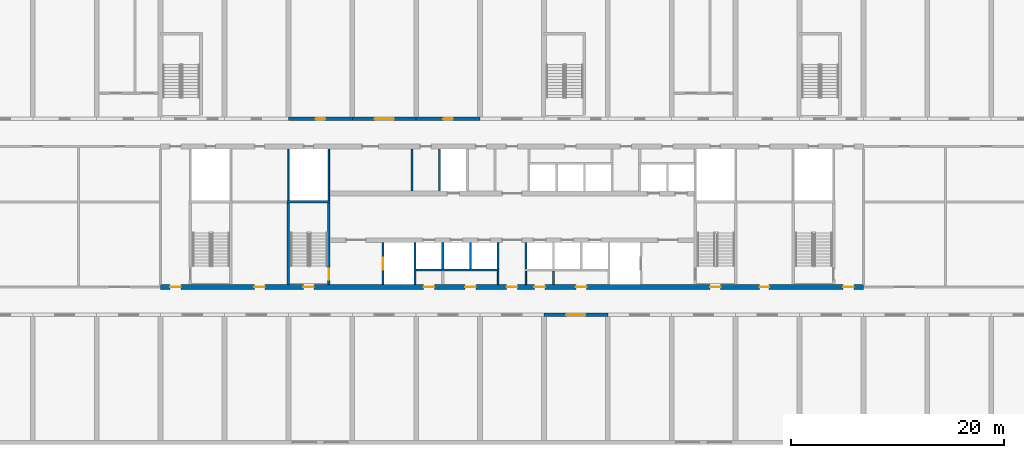
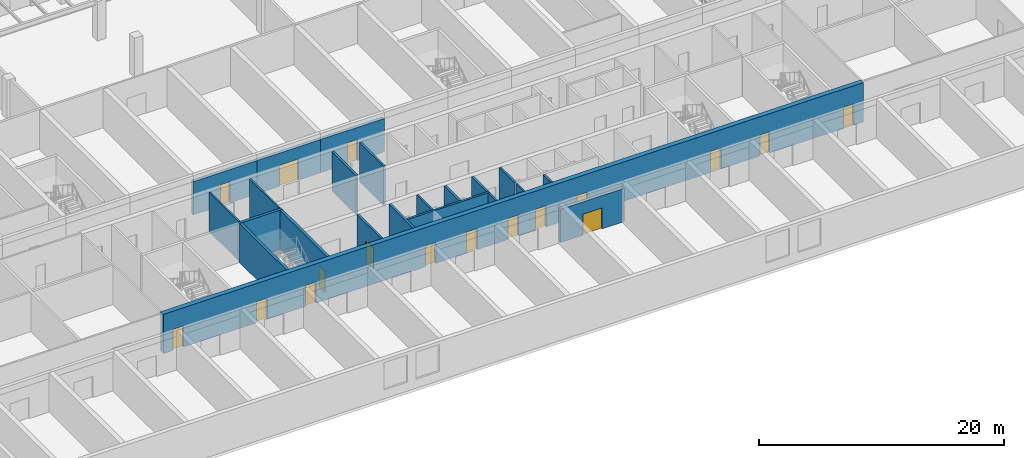
# One storey, part 5 of 15: 22 walls, 17 doors, 17 openings.
"""IFC4 building model written with IfcOpenShell, lengths in metres."""

from ifc_helpers import new_model, si_unit, direction, frame, frame_2d, origin, place, context, subcontext, project, spatial, rectangle, extrude, material, layer, layer_set, type_object, element, fill, save


model = new_model("IFC4")

# Units and contexts
model_context = context("Model", 3, precision=1e-05, world=origin(), true_north=direction((0.0, 1.0)))
body_context = subcontext(model_context, "Body", "Model", "MODEL_VIEW")
ifc_project = project(units=[si_unit("LENGTHUNIT", "METRE"), si_unit("AREAUNIT", "SQUARE_METRE"), si_unit("VOLUMEUNIT", "CUBIC_METRE"), si_unit("PLANEANGLEUNIT", "RADIAN"), si_unit("MASSUNIT", "GRAM", prefix="KILO")], contexts=[model_context])

# Site, building, storey
site_placement = place(None, origin())
site = spatial("IfcSite", under=ifc_project, at=site_placement, CompositionType="ELEMENT")
building_placement = place(site_placement, origin())
building = spatial("IfcBuilding", under=site, at=building_placement, Name="Poui Terraces", CompositionType="ELEMENT")
storey_placement = place(building_placement, frame((0.0, 0.0, 10.800048828125)))
storey = spatial("IfcBuildingStorey", under=building, at=storey_placement, Name="L02", CompositionType="ELEMENT", Elevation=10.800048828125)

# Walls
ifc_material_1 = material(Name="Fire-rated masonry wall", Category="masonry")
ifc_layer_1 = layer(ifc_material_1, 0.199951171875)
ifc_layer_set_1 = layer_set([ifc_layer_1], Name="Fire-rated masonry wall")
wall_type_1 = type_object("IfcWallType", Name="COMPARTMENT WALL 200", PredefinedType="PARTITIONING", material=ifc_layer_set_1)
wall_1_placement = place(storey_placement, frame((54.89990234375, 14.8349609375, 0.0), z_axis=(0.0, 0.0, 1.0), x_axis=(0.0, 1.0, 0.0)))
element("IfcWall", 1, at=wall_1_placement, inside=storey, type_object=wall_type_1, Name="COMPARTMENT WALL 200", PredefinedType="PARTITIONING", context=body_context, shape_type="SweptSolid", body=[
    extrude(rectangle(XDim=1.26513671875, YDim=0.199951171875, at=frame_2d((0.632568359375, 0.0))), origin(), (0.0, 0.0, 1.0), 3.919921875),
])
ifc_material_2 = material(Name="Fire-rated plasterboard wall")
ifc_layer_2 = layer(ifc_material_2, 0.14990234375)
ifc_layer_set_2 = layer_set([ifc_layer_2], Name="Fire-rated plasterboard wall")
wall_type_2 = type_object("IfcWallType", Name="CORRIDOR WALL 150", PredefinedType="PARTITIONING", material=ifc_layer_set_2)
for number, where, z_axis, x_axis, name in (
    (2, (49.699951171875, 14.8349609375, 0.0), (0.0, 0.0, 1.0), (0.0, 1.0, 0.0), "CORRIDOR WALL 150"),
    (3, (52.300048828125, 14.8349609375, 0.0), (0.0, 0.0, 1.0), (0.0, 1.0, 0.0), "CORRIDOR WALL 150"),
):
    element("IfcWall", number, at=place(storey_placement, frame(where, z_axis=z_axis, x_axis=x_axis)), inside=storey, type_object=wall_type_2, Name=name, PredefinedType="PARTITIONING", context=body_context, shape_type="SweptSolid", body=[
        extrude(rectangle(XDim=1.26513671875, YDim=0.14990234375, at=frame_2d((0.632568359375, 0.0))), origin(), (0.0, 0.0, 1.0), 3.919921875),
    ])

# Wall, opening, door
ifc_material_3 = material(Name="Concrete 80 MPa", Category="concrete")
ifc_layer_3 = layer(ifc_material_3, 0.300048828125)
ifc_layer_set_3 = layer_set([ifc_layer_3], Name="Concrete 80 MPa")
wall_type_3 = type_object("IfcWallType", Name="CORRIDOR WALL 300 80MPa", PredefinedType="SHEAR", material=ifc_layer_set_3)
wall_2_placement = place(storey_placement, frame((54.0, 12.0, 0.0), z_axis=(0.0, 0.0, 1.0), x_axis=(1.0, 0.0, 0.0)))
wall_2 = element("IfcWall", 4, at=wall_2_placement, inside=storey, type_object=wall_type_3, Name="CORRIDOR WALL LINE B BAY 10", PredefinedType="SHEAR", context=body_context, shape_type="SweptSolid", body=[
    extrude(rectangle(XDim=6.0, YDim=0.300048828125, at=frame_2d((3.0, 0.0))), origin(), (0.0, 0.0, 1.0), 3.320068359375),
])
opening_1_placement = place(wall_2_placement, frame((2.10009765625, 0.0, 0.0)))
opening_1 = element("IfcOpeningElement", 5, at=opening_1_placement, cuts=wall_2, Name="Opening DD180", PredefinedType="OPENING", context=body_context, shape_type="SweptSolid", body=[
    extrude(rectangle(XDim=1.800048828125, YDim=2.10009765625, at=frame_2d((0.89990234375, 1.050048828125))), frame((0.0, 0.16015625, 0.0), z_axis=(0.0, -1.0, 0.0), x_axis=(1.0, 0.0, 0.0)), (0.0, 0.0, 1.0), 0.320068359375),
])
ifc_material_4 = material(Name="Steel fire door", Category="steel")
door_type_1 = type_object("IfcDoorType", Name="DOUBLE INTERNAL DOOR 1800 X 2100", OperationType="DOUBLE_DOOR_SINGLE_SWING", PredefinedType="DOOR", material=ifc_material_4)
door_1_placement = place(opening_1_placement, origin())
door_1 = element("IfcDoor", 6, at=door_1_placement, inside=storey, type_object=door_type_1, Name="DOUBLE INTERNAL DOOR 058", OperationType="DOUBLE_DOOR_SINGLE_SWING", OverallHeight=2.10009765625, OverallWidth=1.800048828125, PredefinedType="DOOR", context=body_context, shape_type="SweptSolid", body=[
    extrude(rectangle(XDim=1.800048828125, YDim=2.10009765625, at=frame_2d((0.89990234375, 1.050048828125))), frame((0.0, 0.02490234375, 0.0), z_axis=(0.0, -1.0, 0.0), x_axis=(1.0, 0.0, 0.0)), (0.0, 0.0, 1.0), 0.050048828125),
])
fill(opening_1, door_1)

wall_3_placement = place(storey_placement, frame((30.0, 30.39990234375, 0.0), z_axis=(0.0, 0.0, 1.0), x_axis=(1.0, 0.0, 0.0)))
wall_3 = element("IfcWall", 7, at=wall_3_placement, inside=storey, type_object=wall_type_3, Name="CORRIDOR WALL LINE E BAY 6", PredefinedType="SHEAR", context=body_context, shape_type="SweptSolid", body=[
    extrude(rectangle(XDim=6.0, YDim=0.300048828125, at=frame_2d((3.0, 0.0))), origin(), (0.0, 0.0, 1.0), 3.320068359375),
])
opening_2_placement = place(wall_3_placement, frame((2.550048828125, 0.0, 0.0)))
opening_2 = element("IfcOpeningElement", 8, at=opening_2_placement, cuts=wall_3, Name="Opening D90", PredefinedType="OPENING", context=body_context, shape_type="SweptSolid", body=[
    extrude(rectangle(XDim=0.89990234375, YDim=2.10009765625, at=frame_2d((0.449951171875, 1.050048828125))), frame((0.0, 0.16015625, 0.0), z_axis=(0.0, -1.0, 0.0), x_axis=(1.0, 0.0, 0.0)), (0.0, 0.0, 1.0), 0.320068359375),
])
ifc_material_5 = material(Name="Solid core timber door", Category="wood")
door_type_2 = type_object("IfcDoorType", Name="INTERNAL DOOR 900 X 2100", OperationType="NOTDEFINED", PredefinedType="DOOR", material=ifc_material_5)
door_2_placement = place(opening_2_placement, frame((0.89990234375, 0.0, 0.0), z_axis=(0.0, 0.0, 1.0), x_axis=(-1.0, 0.0, 0.0)))
door_2 = element("IfcDoor", 9, at=door_2_placement, inside=storey, type_object=door_type_2, Name="INTERNAL DOOR 014", OperationType="SINGLE_SWING_RIGHT", OverallHeight=2.10009765625, OverallWidth=0.89990234375, PredefinedType="DOOR", context=body_context, shape_type="SweptSolid", body=[
    extrude(rectangle(XDim=0.89990234375, YDim=2.10009765625, at=frame_2d((0.449951171875, 1.050048828125))), frame((0.0, 0.02490234375, 0.0), z_axis=(0.0, -1.0, 0.0), x_axis=(1.0, 0.0, 0.0)), (0.0, 0.0, 1.0), 0.050048828125),
])
fill(opening_2, door_2)

wall_4_placement = place(storey_placement, frame((36.0, 30.39990234375, 0.0), z_axis=(0.0, 0.0, 1.0), x_axis=(1.0, 0.0, 0.0)))
wall_4 = element("IfcWall", 10, at=wall_4_placement, inside=storey, type_object=wall_type_3, Name="CORRIDOR WALL LINE E BAY 7", PredefinedType="SHEAR", context=body_context, shape_type="SweptSolid", body=[
    extrude(rectangle(XDim=6.0, YDim=0.300048828125, at=frame_2d((3.0, 0.0))), origin(), (0.0, 0.0, 1.0), 3.320068359375),
])
opening_3_placement = place(wall_4_placement, frame((2.10009765625, 0.0, 0.0)))
opening_3 = element("IfcOpeningElement", 11, at=opening_3_placement, cuts=wall_4, Name="Opening DD180", PredefinedType="OPENING", context=body_context, shape_type="SweptSolid", body=[
    extrude(rectangle(XDim=1.800048828125, YDim=2.10009765625, at=frame_2d((0.89990234375, 1.050048828125))), frame((0.0, 0.16015625, 0.0), z_axis=(0.0, -1.0, 0.0), x_axis=(1.0, 0.0, 0.0)), (0.0, 0.0, 1.0), 0.320068359375),
])
door_3_placement = place(opening_3_placement, frame((1.800048828125, 0.0, 0.0), z_axis=(0.0, 0.0, 1.0), x_axis=(-1.0, 0.0, 0.0)))
door_3 = element("IfcDoor", 12, at=door_3_placement, inside=storey, type_object=door_type_1, Name="DOUBLE INTERNAL DOOR 016", OperationType="DOUBLE_DOOR_SINGLE_SWING", OverallHeight=2.10009765625, OverallWidth=1.800048828125, PredefinedType="DOOR", context=body_context, shape_type="SweptSolid", body=[
    extrude(rectangle(XDim=1.800048828125, YDim=2.10009765625, at=frame_2d((0.89990234375, 1.050048828125))), frame((0.0, 0.02490234375, 0.0), z_axis=(0.0, -1.0, 0.0), x_axis=(1.0, 0.0, 0.0)), (0.0, 0.0, 1.0), 0.050048828125),
])
fill(opening_3, door_3)

wall_5_placement = place(storey_placement, frame((42.0, 30.39990234375, 0.0), z_axis=(0.0, 0.0, 1.0), x_axis=(1.0, 0.0, 0.0)))
wall_5 = element("IfcWall", 13, at=wall_5_placement, inside=storey, type_object=wall_type_3, Name="CORRIDOR WALL LINE E BAY 8", PredefinedType="SHEAR", context=body_context, shape_type="SweptSolid", body=[
    extrude(rectangle(XDim=6.0, YDim=0.300048828125, at=frame_2d((3.0, 0.0))), origin(), (0.0, 0.0, 1.0), 3.320068359375),
])
opening_4_placement = place(wall_5_placement, frame((2.550048828125, 0.0, 0.0)))
opening_4 = element("IfcOpeningElement", 14, at=opening_4_placement, cuts=wall_5, Name="Opening D90", PredefinedType="OPENING", context=body_context, shape_type="SweptSolid", body=[
    extrude(rectangle(XDim=0.89990234375, YDim=2.10009765625, at=frame_2d((0.449951171875, 1.050048828125))), frame((0.0, 0.16015625, 0.0), z_axis=(0.0, -1.0, 0.0), x_axis=(1.0, 0.0, 0.0)), (0.0, 0.0, 1.0), 0.320068359375),
])
door_4_placement = place(opening_4_placement, frame((0.89990234375, 0.0, 0.0), z_axis=(0.0, 0.0, 1.0), x_axis=(-1.0, 0.0, 0.0)))
door_4 = element("IfcDoor", 15, at=door_4_placement, inside=storey, type_object=door_type_2, Name="INTERNAL DOOR 018", OperationType="SINGLE_SWING_RIGHT", OverallHeight=2.10009765625, OverallWidth=0.89990234375, PredefinedType="DOOR", context=body_context, shape_type="SweptSolid", body=[
    extrude(rectangle(XDim=0.89990234375, YDim=2.10009765625, at=frame_2d((0.449951171875, 1.050048828125))), frame((0.0, 0.02490234375, 0.0), z_axis=(0.0, -1.0, 0.0), x_axis=(1.0, 0.0, 0.0)), (0.0, 0.0, 1.0), 0.050048828125),
])
fill(opening_4, door_4)

# Walls
ifc_layer_4 = layer(ifc_material_1, 0.199951171875)
ifc_layer_set_4 = layer_set([ifc_layer_4], Name="Fire-rated masonry wall")
wall_type_4 = type_object("IfcWallType", Name="PLANT ROOM WALL 200", PredefinedType="PARTITIONING", material=ifc_layer_set_4)
wall_6_placement = place(storey_placement, frame((41.60009765625, 23.635009765625, 0.0), z_axis=(0.0, 0.0, 1.0), x_axis=(0.0, 1.0, 0.0)))
element("IfcWall", 16, at=wall_6_placement, inside=storey, type_object=wall_type_4, Name="PLANT ROOM WALL 200", PredefinedType="PARTITIONING", context=body_context, shape_type="SweptSolid", body=[
    extrude(rectangle(XDim=3.929931640625, YDim=0.199951171875, at=frame_2d((1.96484375, 0.0))), origin(), (0.0, 0.0, 1.0), 3.919921875),
])
ifc_material_6 = material(Name="Fire-rated plasterboard riser wall")
ifc_layer_5 = layer(ifc_material_6, 0.14990234375)
ifc_layer_set_5 = layer_set([ifc_layer_5], Name="Fire-rated plasterboard riser wall")
wall_type_5 = type_object("IfcWallType", Name="RISER WALL 150", PredefinedType="PARTITIONING", material=ifc_layer_set_5)
for number, where, z_axis, x_axis, name in (
    (17, (30.0, 22.735107421875, 0.0), (0.0, 0.0, 1.0), (0.0, 1.0, 0.0), "RISER WALL 150"),
    (18, (33.800048828125, 22.735107421875, 0.0), (0.0, 0.0, 1.0), (0.0, 1.0, 0.0), "RISER WALL 150"),
):
    element("IfcWall", number, at=place(storey_placement, frame(where, z_axis=z_axis, x_axis=x_axis)), inside=storey, type_object=wall_type_5, Name=name, PredefinedType="PARTITIONING", context=body_context, shape_type="SweptSolid", body=[
        extrude(rectangle(XDim=4.829833984375, YDim=0.14990234375, at=frame_2d((2.4150390625, 0.0))), origin(), (0.0, 0.0, 1.0), 3.919921875),
    ])
ifc_material_7 = material(Name="Fire-rated masonry shaft wall", Category="masonry")
ifc_layer_6 = layer(ifc_material_7, 0.199951171875)
ifc_layer_set_6 = layer_set([ifc_layer_6], Name="Fire-rated masonry shaft wall")
wall_type_6 = type_object("IfcWallType", Name="SHAFT WALL 200", PredefinedType="PARTITIONING", material=ifc_layer_set_6)
wall_7_placement = place(storey_placement, frame((42.0, 16.199951171875, 0.0), z_axis=(0.0, 0.0, 1.0), x_axis=(1.0, 0.0, 0.0)))
element("IfcWall", 19, at=wall_7_placement, inside=storey, type_object=wall_type_6, Name="SHAFT WALL 200", PredefinedType="PARTITIONING", context=body_context, shape_type="SweptSolid", body=[
    extrude(rectangle(XDim=7.800048828125, YDim=0.199951171875, at=frame_2d((3.89990234375, 0.0))), origin(), (0.0, 0.0, 1.0), 3.919921875),
])

# Wall, opening, door
wall_8_placement = place(storey_placement, frame((38.89990234375, 14.8349609375, 0.0), z_axis=(0.0, 0.0, 1.0), x_axis=(0.0, 1.0, 0.0)))
wall_8 = element("IfcWall", 20, at=wall_8_placement, inside=storey, type_object=wall_type_6, Name="SHAFT WALL 200", PredefinedType="PARTITIONING", context=body_context, shape_type="SweptSolid", body=[
    extrude(rectangle(XDim=3.929931640625, YDim=0.199951171875, at=frame_2d((1.96484375, 0.0))), origin(), (0.0, 0.0, 1.0), 3.919921875),
])
opening_5_placement = place(wall_8_placement, frame((1.4150390625, 0.0, 0.0)))
opening_5 = element("IfcOpeningElement", 21, at=opening_5_placement, cuts=wall_8, Name="Opening LD", PredefinedType="OPENING", context=body_context, shape_type="SweptSolid", body=[
    extrude(rectangle(XDim=1.10009765625, YDim=2.10009765625, at=frame_2d((0.550048828125, 1.050048828125))), frame((0.0, 0.10986328125, 0.0), z_axis=(0.0, -1.0, 0.0), x_axis=(1.0, 0.0, 0.0)), (0.0, 0.0, 1.0), 0.219970703125),
])
ifc_material_8 = material(Name="Stainless steel sliding door", Category="steel")
door_type_3 = type_object("IfcDoorType", Name="LIFT LANDING DOOR 1100 X 2100", OperationType="DOUBLE_DOOR_SLIDING", PredefinedType="DOOR", material=ifc_material_8)
door_5_placement = place(opening_5_placement, origin())
door_5 = element("IfcDoor", 22, at=door_5_placement, inside=storey, type_object=door_type_3, Name="LANDING DOOR", OperationType="DOUBLE_DOOR_SLIDING", OverallHeight=2.10009765625, OverallWidth=1.10009765625, PredefinedType="DOOR", context=body_context, shape_type="SweptSolid", body=[
    extrude(rectangle(XDim=1.10009765625, YDim=2.10009765625, at=frame_2d((0.550048828125, 1.050048828125))), frame((0.0, 0.02490234375, 0.0), z_axis=(0.0, -1.0, 0.0), x_axis=(1.0, 0.0, 0.0)), (0.0, 0.0, 1.0), 0.050048828125),
])
fill(opening_5, door_5)

# Walls
for number, where, z_axis, x_axis, name in (
    (23, (41.89990234375, 14.8349609375, 0.0), (0.0, 0.0, 1.0), (0.0, 1.0, 0.0), "SHAFT WALL 200"),
    (24, (44.199951171875, 23.635009765625, 0.0), (0.0, 0.0, 1.0), (0.0, 1.0, 0.0), "SHAFT WALL 200"),
):
    element("IfcWall", number, at=place(storey_placement, frame(where, z_axis=z_axis, x_axis=x_axis)), inside=storey, type_object=wall_type_6, Name=name, PredefinedType="PARTITIONING", context=body_context, shape_type="SweptSolid", body=[
        extrude(rectangle(XDim=3.929931640625, YDim=0.199951171875, at=frame_2d((1.96484375, 0.0))), origin(), (0.0, 0.0, 1.0), 3.919921875),
    ])
for number, where, z_axis, x_axis, name in (
    (25, (44.5, 16.300048828125, 0.0), (0.0, 0.0, 1.0), (0.0, 1.0, 0.0), "SHAFT WALL 200"),
    (26, (47.10009765625, 16.300048828125, 0.0), (0.0, 0.0, 1.0), (0.0, 1.0, 0.0), "SHAFT WALL 200"),
    (27, (49.699951171875, 16.300048828125, 0.0), (0.0, 0.0, 1.0), (0.0, 1.0, 0.0), "SHAFT WALL 200"),
    (28, (52.300048828125, 16.300048828125, 0.0), (0.0, 0.0, 1.0), (0.0, 1.0, 0.0), "SHAFT WALL 200"),
):
    element("IfcWall", number, at=place(storey_placement, frame(where, z_axis=z_axis, x_axis=x_axis)), inside=storey, type_object=wall_type_6, Name=name, PredefinedType="PARTITIONING", context=body_context, shape_type="SweptSolid", body=[
        extrude(rectangle(XDim=2.46484375, YDim=0.199951171875, at=frame_2d((1.232421875, 0.0))), origin(), (0.0, 0.0, 1.0), 3.919921875),
    ])

# Wall, openings, doors
ifc_layer_7 = layer(ifc_material_3, 0.449951171875)
ifc_layer_set_7 = layer_set([ifc_layer_7], Name="Concrete 80 MPa")
wall_type_7 = type_object("IfcWallType", Name="SPINE WALL 450 80 MPA", PredefinedType="SOLIDWALL", material=ifc_layer_set_7)
wall_9_placement = place(storey_placement, frame((18.0, 14.60009765625, 0.0), z_axis=(0.0, 0.0, 1.0), x_axis=(1.0, 0.0, 0.0)))
wall_9 = element("IfcWall", 29, at=wall_9_placement, inside=storey, type_object=wall_type_7, Name="SPINE WALL", PredefinedType="SOLIDWALL", context=body_context, shape_type="SweptSolid", body=[
    extrude(rectangle(XDim=66.0, YDim=0.449951171875, at=frame_2d((33.0, 0.0))), origin(), (0.0, 0.0, 1.0), 3.919921875),
])
opening_6_placement = place(wall_9_placement, frame((0.89990234375, 0.0, 0.0)))
opening_6 = element("IfcOpeningElement", 30, at=opening_6_placement, cuts=wall_9, Name="Opening FDL", PredefinedType="OPENING", context=body_context, shape_type="SweptSolid", body=[
    extrude(rectangle(XDim=1.0, YDim=2.10009765625, at=frame_2d((0.5, 1.050048828125))), frame((0.0, 0.23486328125, 0.0), z_axis=(0.0, -1.0, 0.0), x_axis=(1.0, 0.0, 0.0)), (0.0, 0.0, 1.0), 0.469970703125),
])
opening_7_placement = place(wall_9_placement, frame((8.800048828125, 0.0, 0.0)))
opening_7 = element("IfcOpeningElement", 31, at=opening_7_placement, cuts=wall_9, Name="Opening D100", PredefinedType="OPENING", context=body_context, shape_type="SweptSolid", body=[
    extrude(rectangle(XDim=1.0, YDim=2.10009765625, at=frame_2d((0.5, 1.050048828125))), frame((0.0, 0.23486328125, 0.0), z_axis=(0.0, -1.0, 0.0), x_axis=(1.0, 0.0, 0.0)), (0.0, 0.0, 1.0), 0.469970703125),
])
opening_8_placement = place(wall_9_placement, frame((13.39990234375, 0.0, 0.0)))
opening_8 = element("IfcOpeningElement", 32, at=opening_8_placement, cuts=wall_9, Name="Opening FD60S", PredefinedType="OPENING", context=body_context, shape_type="SweptSolid", body=[
    extrude(rectangle(XDim=1.0, YDim=2.10009765625, at=frame_2d((0.5, 1.050048828125))), frame((0.0, 0.23486328125, 0.0), z_axis=(0.0, -1.0, 0.0), x_axis=(1.0, 0.0, 0.0)), (0.0, 0.0, 1.0), 0.469970703125),
])
opening_9_placement = place(wall_9_placement, frame((24.699951171875, 0.0, 0.0)))
opening_9 = element("IfcOpeningElement", 33, at=opening_9_placement, cuts=wall_9, Name="Opening FD60", PredefinedType="OPENING", context=body_context, shape_type="SweptSolid", body=[
    extrude(rectangle(XDim=1.0, YDim=2.10009765625, at=frame_2d((0.5, 1.050048828125))), frame((0.0, 0.23486328125, 0.0), z_axis=(0.0, -1.0, 0.0), x_axis=(1.0, 0.0, 0.0)), (0.0, 0.0, 1.0), 0.469970703125),
])
opening_10_placement = place(wall_9_placement, frame((28.60009765625, 0.0, 0.0)))
opening_10 = element("IfcOpeningElement", 34, at=opening_10_placement, cuts=wall_9, Name="Opening FD60", PredefinedType="OPENING", context=body_context, shape_type="SweptSolid", body=[
    extrude(rectangle(XDim=1.0, YDim=2.10009765625, at=frame_2d((0.5, 1.050048828125))), frame((0.0, 0.23486328125, 0.0), z_axis=(0.0, -1.0, 0.0), x_axis=(1.0, 0.0, 0.0)), (0.0, 0.0, 1.0), 0.469970703125),
])
opening_11_placement = place(wall_9_placement, frame((32.5, 0.0, 0.0)))
opening_11 = element("IfcOpeningElement", 35, at=opening_11_placement, cuts=wall_9, Name="Opening FDL", PredefinedType="OPENING", context=body_context, shape_type="SweptSolid", body=[
    extrude(rectangle(XDim=1.0, YDim=2.10009765625, at=frame_2d((0.5, 1.050048828125))), frame((0.0, 0.23486328125, 0.0), z_axis=(0.0, -1.0, 0.0), x_axis=(1.0, 0.0, 0.0)), (0.0, 0.0, 1.0), 0.469970703125),
])
opening_12_placement = place(wall_9_placement, frame((35.10009765625, 0.0, 0.0)))
opening_12 = element("IfcOpeningElement", 36, at=opening_12_placement, cuts=wall_9, Name="Opening FD60", PredefinedType="OPENING", context=body_context, shape_type="SweptSolid", body=[
    extrude(rectangle(XDim=1.0, YDim=2.10009765625, at=frame_2d((0.5, 1.050048828125))), frame((0.0, 0.23486328125, 0.0), z_axis=(0.0, -1.0, 0.0), x_axis=(1.0, 0.0, 0.0)), (0.0, 0.0, 1.0), 0.469970703125),
])
opening_13_placement = place(wall_9_placement, frame((39.0, 0.0, 0.0)))
opening_13 = element("IfcOpeningElement", 37, at=opening_13_placement, cuts=wall_9, Name="Opening FD60", PredefinedType="OPENING", context=body_context, shape_type="SweptSolid", body=[
    extrude(rectangle(XDim=1.0, YDim=2.10009765625, at=frame_2d((0.5, 1.050048828125))), frame((0.0, 0.23486328125, 0.0), z_axis=(0.0, -1.0, 0.0), x_axis=(1.0, 0.0, 0.0)), (0.0, 0.0, 1.0), 0.469970703125),
])
opening_14_placement = place(wall_9_placement, frame((51.60009765625, 0.0, 0.0)))
opening_14 = element("IfcOpeningElement", 38, at=opening_14_placement, cuts=wall_9, Name="Opening FD60S", PredefinedType="OPENING", context=body_context, shape_type="SweptSolid", body=[
    extrude(rectangle(XDim=1.0, YDim=2.10009765625, at=frame_2d((0.5, 1.050048828125))), frame((0.0, 0.23486328125, 0.0), z_axis=(0.0, -1.0, 0.0), x_axis=(1.0, 0.0, 0.0)), (0.0, 0.0, 1.0), 0.469970703125),
])
opening_15_placement = place(wall_9_placement, frame((56.25, 0.0, 0.0)))
opening_15 = element("IfcOpeningElement", 39, at=opening_15_placement, cuts=wall_9, Name="Opening D90", PredefinedType="OPENING", context=body_context, shape_type="SweptSolid", body=[
    extrude(rectangle(XDim=0.89990234375, YDim=2.10009765625, at=frame_2d((0.449951171875, 1.050048828125))), frame((0.0, 0.23486328125, 0.0), z_axis=(0.0, -1.0, 0.0), x_axis=(1.0, 0.0, 0.0)), (0.0, 0.0, 1.0), 0.469970703125),
])
opening_16_placement = place(wall_9_placement, frame((64.10009765625, 0.0, 0.0)))
opening_16 = element("IfcOpeningElement", 40, at=opening_16_placement, cuts=wall_9, Name="Opening FDL", PredefinedType="OPENING", context=body_context, shape_type="SweptSolid", body=[
    extrude(rectangle(XDim=1.0, YDim=2.10009765625, at=frame_2d((0.5, 1.050048828125))), frame((0.0, 0.23486328125, 0.0), z_axis=(0.0, -1.0, 0.0), x_axis=(1.0, 0.0, 0.0)), (0.0, 0.0, 1.0), 0.469970703125),
])
door_type_4 = type_object("IfcDoorType", Name="ACCESSIBLE INTERNAL DOOR 1000 X 2100", OperationType="NOTDEFINED", PredefinedType="DOOR", material=ifc_material_5)
door_6_placement = place(opening_7_placement, frame((1.0, 0.0, 0.0), z_axis=(0.0, 0.0, 1.0), x_axis=(-1.0, 0.0, 0.0)))
door_6 = element("IfcDoor", 41, at=door_6_placement, inside=storey, type_object=door_type_4, Name="ACCESSIBLE INTERNAL DOOR 048", OperationType="SINGLE_SWING_LEFT", OverallHeight=2.10009765625, OverallWidth=1.0, PredefinedType="DOOR", context=body_context, shape_type="SweptSolid", body=[
    extrude(rectangle(XDim=1.0, YDim=2.10009765625, at=frame_2d((0.5, 1.050048828125))), frame((0.0, 0.02490234375, 0.0), z_axis=(0.0, -1.0, 0.0), x_axis=(1.0, 0.0, 0.0)), (0.0, 0.0, 1.0), 0.050048828125),
])
fill(opening_7, door_6)
door_7_placement = place(opening_15_placement, frame((0.89990234375, 0.0, 0.0), z_axis=(0.0, 0.0, 1.0), x_axis=(-1.0, 0.0, 0.0)))
door_7 = element("IfcDoor", 42, at=door_7_placement, inside=storey, type_object=door_type_2, Name="INTERNAL DOOR 063", OperationType="SINGLE_SWING_LEFT", OverallHeight=2.10009765625, OverallWidth=0.89990234375, PredefinedType="DOOR", context=body_context, shape_type="SweptSolid", body=[
    extrude(rectangle(XDim=0.89990234375, YDim=2.10009765625, at=frame_2d((0.449951171875, 1.050048828125))), frame((0.0, 0.02490234375, 0.0), z_axis=(0.0, -1.0, 0.0), x_axis=(1.0, 0.0, 0.0)), (0.0, 0.0, 1.0), 0.050048828125),
])
fill(opening_15, door_7)
door_type_5 = type_object("IfcDoorType", Name="LOBBY FIRE DOOR 1000 X 2100", OperationType="NOTDEFINED", PredefinedType="DOOR", material=ifc_material_4)
door_8_placement = place(opening_6_placement, frame((1.0, 0.0, 0.0), z_axis=(0.0, 0.0, 1.0), x_axis=(-1.0, 0.0, 0.0)))
door_8 = element("IfcDoor", 43, at=door_8_placement, inside=storey, type_object=door_type_5, Name="LOBBY FIRE DOOR 045", OperationType="SINGLE_SWING_RIGHT", OverallHeight=2.10009765625, OverallWidth=1.0, PredefinedType="DOOR", context=body_context, shape_type="SweptSolid", body=[
    extrude(rectangle(XDim=1.0, YDim=2.10009765625, at=frame_2d((0.5, 1.050048828125))), frame((0.0, 0.02490234375, 0.0), z_axis=(0.0, -1.0, 0.0), x_axis=(1.0, 0.0, 0.0)), (0.0, 0.0, 1.0), 0.050048828125),
])
fill(opening_6, door_8)
door_9_placement = place(opening_11_placement, frame((1.0, 0.0, 0.0), z_axis=(0.0, 0.0, 1.0), x_axis=(-1.0, 0.0, 0.0)))
door_9 = element("IfcDoor", 44, at=door_9_placement, inside=storey, type_object=door_type_5, Name="LOBBY FIRE DOOR 056", OperationType="SINGLE_SWING_LEFT", OverallHeight=2.10009765625, OverallWidth=1.0, PredefinedType="DOOR", context=body_context, shape_type="SweptSolid", body=[
    extrude(rectangle(XDim=1.0, YDim=2.10009765625, at=frame_2d((0.5, 1.050048828125))), frame((0.0, 0.02490234375, 0.0), z_axis=(0.0, -1.0, 0.0), x_axis=(1.0, 0.0, 0.0)), (0.0, 0.0, 1.0), 0.050048828125),
])
fill(opening_11, door_9)
door_10_placement = place(opening_16_placement, frame((1.0, 0.0, 0.0), z_axis=(0.0, 0.0, 1.0), x_axis=(-1.0, 0.0, 0.0)))
door_10 = element("IfcDoor", 45, at=door_10_placement, inside=storey, type_object=door_type_5, Name="LOBBY FIRE DOOR 066", OperationType="SINGLE_SWING_LEFT", OverallHeight=2.10009765625, OverallWidth=1.0, PredefinedType="DOOR", context=body_context, shape_type="SweptSolid", body=[
    extrude(rectangle(XDim=1.0, YDim=2.10009765625, at=frame_2d((0.5, 1.050048828125))), frame((0.0, 0.02490234375, 0.0), z_axis=(0.0, -1.0, 0.0), x_axis=(1.0, 0.0, 0.0)), (0.0, 0.0, 1.0), 0.050048828125),
])
fill(opening_16, door_10)
door_type_6 = type_object("IfcDoorType", Name="SERVICE ROOM FIRE DOOR 1000 X 2100", OperationType="NOTDEFINED", PredefinedType="DOOR", material=ifc_material_4)
door_11_placement = place(opening_9_placement, frame((1.0, 0.0, 0.0), z_axis=(0.0, 0.0, 1.0), x_axis=(-1.0, 0.0, 0.0)))
door_11 = element("IfcDoor", 46, at=door_11_placement, inside=storey, type_object=door_type_6, Name="SERVICE ROOM FIRE DOOR 052", OperationType="SINGLE_SWING_LEFT", OverallHeight=2.10009765625, OverallWidth=1.0, PredefinedType="DOOR", context=body_context, shape_type="SweptSolid", body=[
    extrude(rectangle(XDim=1.0, YDim=2.10009765625, at=frame_2d((0.5, 1.050048828125))), frame((0.0, 0.02490234375, 0.0), z_axis=(0.0, -1.0, 0.0), x_axis=(1.0, 0.0, 0.0)), (0.0, 0.0, 1.0), 0.050048828125),
])
fill(opening_9, door_11)
door_12_placement = place(opening_10_placement, frame((1.0, 0.0, 0.0), z_axis=(0.0, 0.0, 1.0), x_axis=(-1.0, 0.0, 0.0)))
door_12 = element("IfcDoor", 47, at=door_12_placement, inside=storey, type_object=door_type_6, Name="SERVICE ROOM FIRE DOOR 054", OperationType="SINGLE_SWING_RIGHT", OverallHeight=2.10009765625, OverallWidth=1.0, PredefinedType="DOOR", context=body_context, shape_type="SweptSolid", body=[
    extrude(rectangle(XDim=1.0, YDim=2.10009765625, at=frame_2d((0.5, 1.050048828125))), frame((0.0, 0.02490234375, 0.0), z_axis=(0.0, -1.0, 0.0), x_axis=(1.0, 0.0, 0.0)), (0.0, 0.0, 1.0), 0.050048828125),
])
fill(opening_10, door_12)
door_13_placement = place(opening_12_placement, frame((1.0, 0.0, 0.0), z_axis=(0.0, 0.0, 1.0), x_axis=(-1.0, 0.0, 0.0)))
door_13 = element("IfcDoor", 48, at=door_13_placement, inside=storey, type_object=door_type_6, Name="SERVICE ROOM FIRE DOOR 057", OperationType="SINGLE_SWING_LEFT", OverallHeight=2.10009765625, OverallWidth=1.0, PredefinedType="DOOR", context=body_context, shape_type="SweptSolid", body=[
    extrude(rectangle(XDim=1.0, YDim=2.10009765625, at=frame_2d((0.5, 1.050048828125))), frame((0.0, 0.02490234375, 0.0), z_axis=(0.0, -1.0, 0.0), x_axis=(1.0, 0.0, 0.0)), (0.0, 0.0, 1.0), 0.050048828125),
])
fill(opening_12, door_13)
door_14_placement = place(opening_13_placement, frame((1.0, 0.0, 0.0), z_axis=(0.0, 0.0, 1.0), x_axis=(-1.0, 0.0, 0.0)))
door_14 = element("IfcDoor", 49, at=door_14_placement, inside=storey, type_object=door_type_6, Name="SERVICE ROOM FIRE DOOR 059", OperationType="SINGLE_SWING_RIGHT", OverallHeight=2.10009765625, OverallWidth=1.0, PredefinedType="DOOR", context=body_context, shape_type="SweptSolid", body=[
    extrude(rectangle(XDim=1.0, YDim=2.10009765625, at=frame_2d((0.5, 1.050048828125))), frame((0.0, 0.02490234375, 0.0), z_axis=(0.0, -1.0, 0.0), x_axis=(1.0, 0.0, 0.0)), (0.0, 0.0, 1.0), 0.050048828125),
])
fill(opening_13, door_14)
door_type_7 = type_object("IfcDoorType", Name="STAIR DOOR 1000 X 2100", OperationType="NOTDEFINED", PredefinedType="DOOR", material=ifc_material_4)
door_15_placement = place(opening_8_placement, origin())
door_15 = element("IfcDoor", 50, at=door_15_placement, inside=storey, type_object=door_type_7, Name="STAIR DOOR 049", OperationType="SINGLE_SWING_RIGHT", OverallHeight=2.10009765625, OverallWidth=1.0, PredefinedType="DOOR", context=body_context, shape_type="SweptSolid", body=[
    extrude(rectangle(XDim=1.0, YDim=2.10009765625, at=frame_2d((0.5, 1.050048828125))), frame((0.0, 0.02490234375, 0.0), z_axis=(0.0, -1.0, 0.0), x_axis=(1.0, 0.0, 0.0)), (0.0, 0.0, 1.0), 0.050048828125),
])
fill(opening_8, door_15)
door_16_placement = place(opening_14_placement, origin())
door_16 = element("IfcDoor", 51, at=door_16_placement, inside=storey, type_object=door_type_7, Name="STAIR DOOR 062", OperationType="SINGLE_SWING_RIGHT", OverallHeight=2.10009765625, OverallWidth=1.0, PredefinedType="DOOR", context=body_context, shape_type="SweptSolid", body=[
    extrude(rectangle(XDim=1.0, YDim=2.10009765625, at=frame_2d((0.5, 1.050048828125))), frame((0.0, 0.02490234375, 0.0), z_axis=(0.0, -1.0, 0.0), x_axis=(1.0, 0.0, 0.0)), (0.0, 0.0, 1.0), 0.050048828125),
])
fill(opening_14, door_16)

# Wall
ifc_layer_8 = layer(ifc_material_3, 0.25)
ifc_layer_set_8 = layer_set([ifc_layer_8], Name="Concrete 80 MPa")
wall_type_8 = type_object("IfcWallType", Name="STAIR CORE WALL 250 80 MPA", PredefinedType="SOLIDWALL", material=ifc_layer_set_8)
wall_10_placement = place(storey_placement, frame((30.0, 14.824951171875, 0.0), z_axis=(0.0, 0.0, 1.0), x_axis=(0.0, 1.0, 0.0)))
element("IfcWall", 52, at=wall_10_placement, inside=storey, type_object=wall_type_8, Name="STAIR CORE WALL", PredefinedType="SOLIDWALL", context=body_context, shape_type="SweptSolid", body=[
    extrude(rectangle(XDim=7.650146484375, YDim=0.25, at=frame_2d((3.8251953125, 0.0))), origin(), (0.0, 0.0, 1.0), 3.919921875),
])

# Wall, opening, door
wall_11_placement = place(storey_placement, frame((33.800048828125, 14.824951171875, 0.0), z_axis=(0.0, 0.0, 1.0), x_axis=(0.0, 1.0, 0.0)))
wall_11 = element("IfcWall", 53, at=wall_11_placement, inside=storey, type_object=wall_type_8, Name="STAIR CORE WALL", PredefinedType="SOLIDWALL", context=body_context, shape_type="SweptSolid", body=[
    extrude(rectangle(XDim=7.650146484375, YDim=0.25, at=frame_2d((3.8251953125, 0.0))), origin(), (0.0, 0.0, 1.0), 3.919921875),
])
opening_17_placement = place(wall_11_placement, frame((0.47509765625, 0.0, 0.0)))
opening_17 = element("IfcOpeningElement", 54, at=opening_17_placement, cuts=wall_11, Name="Opening FD60S", PredefinedType="OPENING", context=body_context, shape_type="SweptSolid", body=[
    extrude(rectangle(XDim=1.0, YDim=2.10009765625, at=frame_2d((0.5, 1.050048828125))), frame((0.0, 0.135009765625, 0.0), z_axis=(0.0, -1.0, 0.0), x_axis=(1.0, 0.0, 0.0)), (0.0, 0.0, 1.0), 0.27001953125),
])
door_17_placement = place(opening_17_placement, origin())
door_17 = element("IfcDoor", 55, at=door_17_placement, inside=storey, type_object=door_type_7, Name="STAIR DOOR 085", OperationType="SINGLE_SWING_LEFT", OverallHeight=2.10009765625, OverallWidth=1.0, PredefinedType="DOOR", context=body_context, shape_type="SweptSolid", body=[
    extrude(rectangle(XDim=1.0, YDim=2.10009765625, at=frame_2d((0.5, 1.050048828125))), frame((0.0, 0.02490234375, 0.0), z_axis=(0.0, -1.0, 0.0), x_axis=(1.0, 0.0, 0.0)), (0.0, 0.0, 1.0), 0.050048828125),
])
fill(opening_17, door_17)

# Wall
wall_12_placement = place(storey_placement, frame((29.875, 22.60009765625, 0.0), z_axis=(0.0, 0.0, 1.0), x_axis=(1.0, 0.0, 0.0)))
element("IfcWall", 56, at=wall_12_placement, inside=storey, type_object=wall_type_8, Name="STAIR CORE WALL", PredefinedType="SOLIDWALL", context=body_context, shape_type="SweptSolid", body=[
    extrude(rectangle(XDim=4.050048828125, YDim=0.25, at=frame_2d((2.02490234375, 0.0))), origin(), (0.0, 0.0, 1.0), 3.919921875),
])

save(model, "model.ifc")
